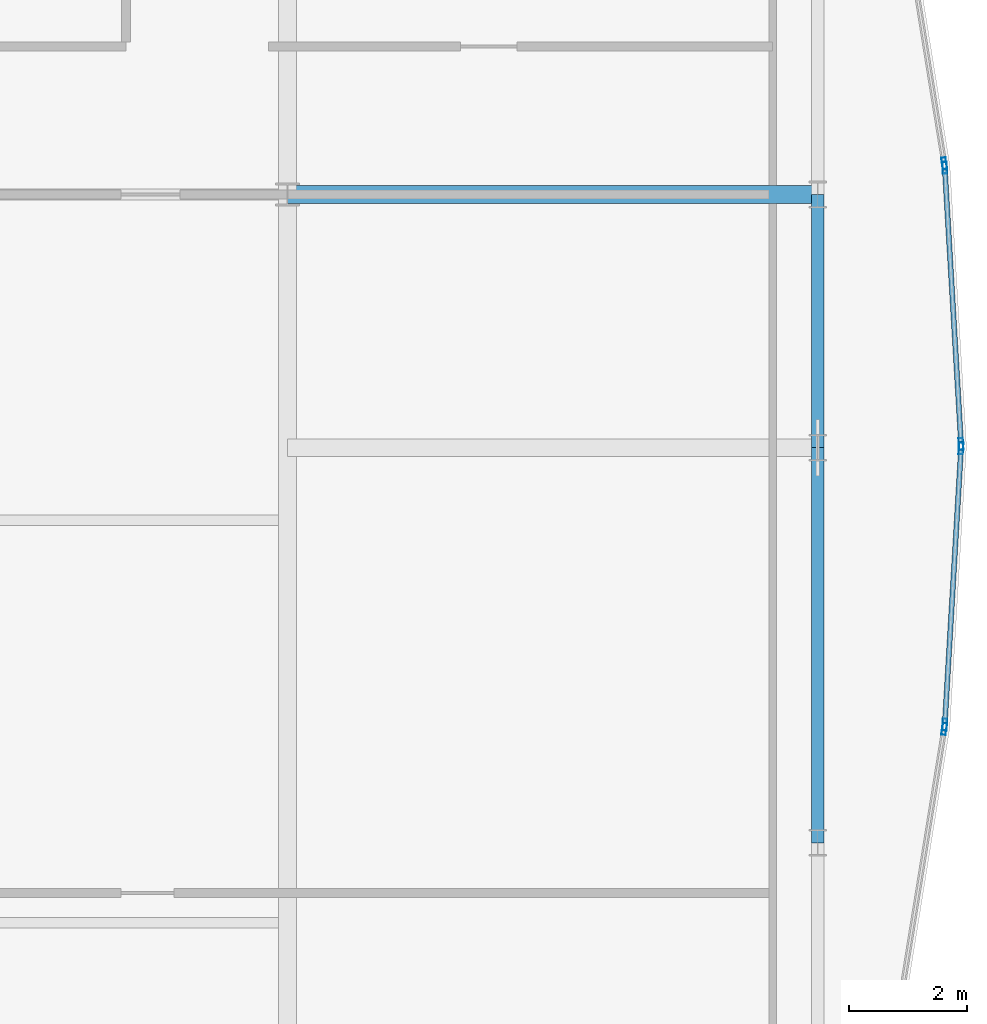
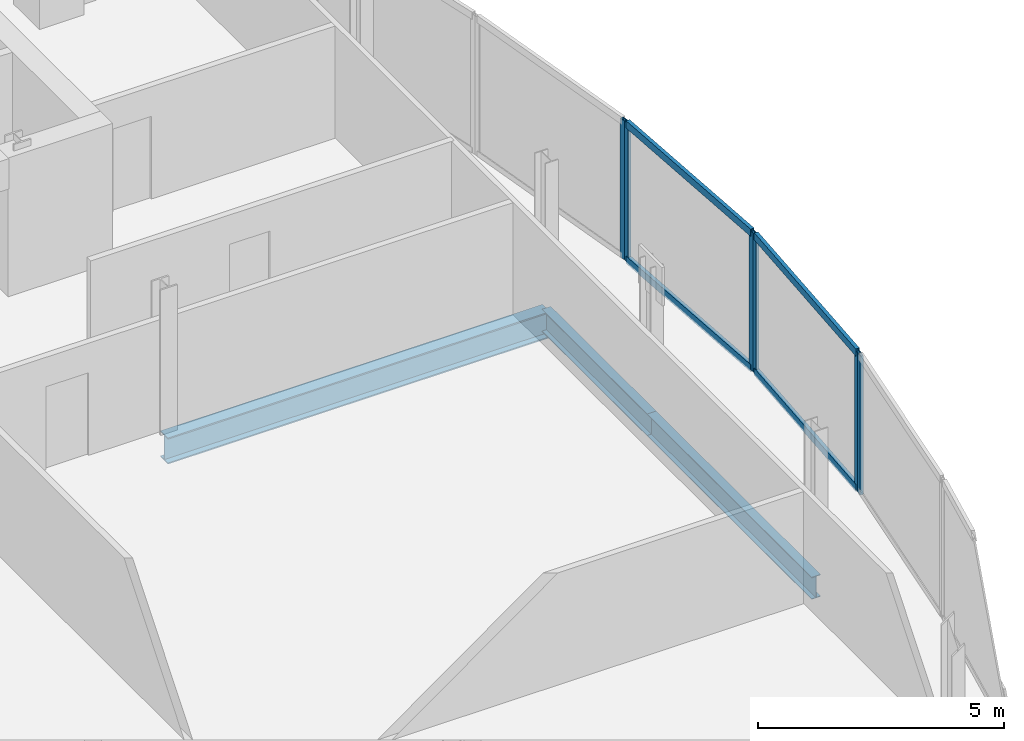
# One storey, part 18 of 30: 10 members, 3 beams, 4 elements without a shape of their own.
"""IFC4 building model written with IfcOpenShell, lengths in metres."""

from ifc_helpers import new_model, si_unit, direction, frame, origin, origin_2d, place, context, subcontext, project, spatial, hollow_rectangle, i_section, extrude, material, material_profile, profile_set, type_object, element, aggregate, save


model = new_model("IFC4")

# Units and contexts
model_context = context("Model", 3, precision=1e-05, world=origin(), true_north=direction((0.0, 1.0)))
body_context = subcontext(model_context, "Body", "Model", "MODEL_VIEW")
ifc_project = project(units=[si_unit("LENGTHUNIT", "METRE"), si_unit("AREAUNIT", "SQUARE_METRE"), si_unit("VOLUMEUNIT", "CUBIC_METRE"), si_unit("PLANEANGLEUNIT", "RADIAN"), si_unit("MASSUNIT", "GRAM", prefix="KILO")], contexts=[model_context])

# Site, building, storey
site_placement = place(None, origin())
site = spatial("IfcSite", under=ifc_project, at=site_placement, CompositionType="ELEMENT")
building_placement = place(site_placement, origin())
building = spatial("IfcBuilding", under=site, at=building_placement, Name="Khoronbel Lancet Exchange", CompositionType="ELEMENT")
storey_placement = place(building_placement, frame((0.0, 0.0, 269.800048828125)))
storey = spatial("IfcBuildingStorey", under=building, at=storey_placement, Name="L69", CompositionType="ELEMENT", Elevation=269.800048828125)

# Beams
ifc_material_1 = material(Name="Steel S355", Category="steel")
ifc_material_profile_1 = material_profile(ifc_material_1, i_section(OverallWidth=0.300048828125, OverallDepth=0.64990234375, WebThickness=0.01611328125, FlangeThickness=0.031005859375, at=origin_2d()), Name="HEB 650")
ifc_profile_set_1 = profile_set([ifc_material_profile_1], Name="Steel S355")
beam_type_1 = type_object("IfcBeamType", Name="BM-BG4", PredefinedType="BEAM", material=ifc_profile_set_1)
beam_1_placement = place(storey_placement, frame((54.675048828125, 35.699951171875, -0.485107421875), z_axis=(1.0, 0.0, 0.0), x_axis=(0.0, 1.0, 0.0)))
element("IfcBeam", 1, at=beam_1_placement, inside=storey, type_object=beam_type_1, Name="Level L69 east lens tie girder LG4E", PredefinedType="BEAM", context=body_context, shape_type="SweptSolid", body=[
    extrude(i_section(OverallWidth=0.300048828125, OverallDepth=0.64990234375, WebThickness=0.01611328125, FlangeThickness=0.031005859375, at=origin_2d()), origin(), (0.0, 0.0, 1.0), 8.954833984375),
])
ifc_material_profile_2 = material_profile(ifc_material_1, i_section(OverallWidth=0.2099609375, OverallDepth=0.550048828125, WebThickness=0.010986328125, FlangeThickness=0.01708984375, at=origin_2d()), Name="IPE 550")
ifc_profile_set_2 = profile_set([ifc_material_profile_2], Name="Steel S355")
beam_type_2 = type_object("IfcBeamType", Name="BM-BSP3", PredefinedType="SPANDREL", material=ifc_profile_set_2)
beam_2_placement = place(storey_placement, frame((63.6298828125, 24.75, -0.43505859375), z_axis=(0.0, 1.0, 0.0), x_axis=(-1.0, 0.0, 0.0)))
element("IfcBeam", 2, at=beam_2_placement, inside=storey, type_object=beam_type_2, Name="Level L69 perimeter spandrel beam SP12", PredefinedType="SPANDREL", context=body_context, shape_type="SweptSolid", body=[
    extrude(i_section(OverallWidth=0.2099609375, OverallDepth=0.550048828125, WebThickness=0.010986328125, FlangeThickness=0.01708984375, at=origin_2d()), origin(), (0.0, 0.0, 1.0), 6.675048828125),
])
beam_3_placement = place(storey_placement, frame((63.6298828125, 31.425048828125, -0.43505859375), z_axis=(0.0, 1.0, 0.0), x_axis=(-1.0, 0.0, 0.0)))
element("IfcBeam", 3, at=beam_3_placement, inside=storey, type_object=beam_type_2, Name="Level L69 perimeter spandrel beam SP13", PredefinedType="SPANDREL", context=body_context, shape_type="SweptSolid", body=[
    extrude(i_section(OverallWidth=0.2099609375, OverallDepth=0.550048828125, WebThickness=0.010986328125, FlangeThickness=0.01708984375, at=origin_2d()), origin(), (0.0, 0.0, 1.0), 4.27490234375),
])

# Curtain wall, member
ifc_material_2 = material(Name="Low-E Solar Control Insulating Glass", Category="glass")
curtain_wall_type = type_object("IfcCurtainWallType", Name="CW-4", PredefinedType="NOTDEFINED", material=ifc_material_2)
curtain_wall_1_placement = place(storey_placement, origin())
curtain_wall_1 = element("IfcCurtainWall", 4, at=curtain_wall_1_placement, inside=storey, type_object=curtain_wall_type, Name="Unitised curtain wall CW-L69-E18", PredefinedType="NOTDEFINED")
ifc_material_3 = material(Name="Bronze-Anodised Aluminium 6063-T6", Category="aluminium")
ifc_material_profile_3 = material_profile(ifc_material_3, hollow_rectangle(XDim=0.074951171875, YDim=0.199951171875, WallThickness=0.0048828125, at=origin_2d()), Name="ALU MULLION 75x200")
ifc_profile_set_3 = profile_set([ifc_material_profile_3], Name="Bronze-Anodised Aluminium 6063-T6")
member_type_1 = type_object("IfcMemberType", Name="MEM-CWM2", PredefinedType="MULLION", material=ifc_profile_set_3)
member_1_placement = place(storey_placement, frame((65.767578125, 36.227294921875, 0.0), z_axis=(0.0, 0.0, 1.0), x_axis=(0.98723404771, 0.159276285246, 0.0)))
member_1 = element("IfcMember", 5, at=member_1_placement, type_object=member_type_1, Name="CW4 mullion 2", PredefinedType="MULLION", context=body_context, shape_type="SweptSolid", body=[
    extrude(hollow_rectangle(XDim=0.074951171875, YDim=0.199951171875, WallThickness=0.0048828125, at=origin_2d()), origin(), (0.0, 0.0, 1.0), 3.43994140625),
])
aggregate(curtain_wall_1, [member_1])

# Curtain wall, members
curtain_wall_2_placement = place(storey_placement, origin())
curtain_wall_2 = element("IfcCurtainWall", 6, at=curtain_wall_2_placement, inside=storey, type_object=curtain_wall_type, Name="Unitised curtain wall CW-L69-E19", PredefinedType="NOTDEFINED")
member_2_placement = place(storey_placement, frame((65.77587890625, 36.15283203125, 0.0), z_axis=(0.0, 0.0, 1.0), x_axis=(0.99826120415, 0.058945468766, 0.0)))
member_2 = element("IfcMember", 7, at=member_2_placement, type_object=member_type_1, Name="CW4 mullion 1", PredefinedType="MULLION", context=body_context, shape_type="SweptSolid", body=[
    extrude(hollow_rectangle(XDim=0.074951171875, YDim=0.199951171875, WallThickness=0.0048828125, at=origin_2d()), origin(), (0.0, 0.0, 1.0), 3.43994140625),
])
member_3_placement = place(storey_placement, frame((66.05126953125, 31.487548828125, 0.0), z_axis=(0.0, 0.0, 1.0), x_axis=(0.99826120415, 0.058945468766, 0.0)))
member_3 = element("IfcMember", 8, at=member_3_placement, type_object=member_type_1, Name="CW4 mullion 2", PredefinedType="MULLION", context=body_context, shape_type="SweptSolid", body=[
    extrude(hollow_rectangle(XDim=0.074951171875, YDim=0.199951171875, WallThickness=0.0048828125, at=origin_2d()), origin(), (0.0, 0.0, 1.0), 3.43994140625),
])

curtain_wall_3_placement = place(storey_placement, origin())
curtain_wall_3 = element("IfcCurtainWall", 9, at=curtain_wall_3_placement, inside=storey, type_object=curtain_wall_type, Name="Unitised curtain wall CW-L69-E20", PredefinedType="NOTDEFINED")
member_4_placement = place(storey_placement, frame((66.05126953125, 31.41259765625, 0.0), z_axis=(0.0, 0.0, 1.0), x_axis=(0.99826120415, -0.058945468766, 0.0)))
member_4 = element("IfcMember", 10, at=member_4_placement, type_object=member_type_1, Name="CW4 mullion 1", PredefinedType="MULLION", context=body_context, shape_type="SweptSolid", body=[
    extrude(hollow_rectangle(XDim=0.074951171875, YDim=0.199951171875, WallThickness=0.0048828125, at=origin_2d()), origin(), (0.0, 0.0, 1.0), 3.43994140625),
])
member_5_placement = place(storey_placement, frame((65.77587890625, 26.747314453125, 0.0), z_axis=(0.0, 0.0, 1.0), x_axis=(0.99826120415, -0.058945468766, 0.0)))
member_5 = element("IfcMember", 11, at=member_5_placement, type_object=member_type_1, Name="CW4 mullion 2", PredefinedType="MULLION", context=body_context, shape_type="SweptSolid", body=[
    extrude(hollow_rectangle(XDim=0.074951171875, YDim=0.199951171875, WallThickness=0.0048828125, at=origin_2d()), origin(), (0.0, 0.0, 1.0), 3.43994140625),
])

# Curtain wall, member
curtain_wall_4_placement = place(storey_placement, origin())
curtain_wall_4 = element("IfcCurtainWall", 12, at=curtain_wall_4_placement, inside=storey, type_object=curtain_wall_type, Name="Unitised curtain wall CW-L69-E21", PredefinedType="NOTDEFINED")
member_6_placement = place(storey_placement, frame((65.767578125, 26.6728515625, 0.0), z_axis=(0.0, 0.0, 1.0), x_axis=(0.98723404771, -0.159276285246, 0.0)))
member_6 = element("IfcMember", 13, at=member_6_placement, type_object=member_type_1, Name="CW4 mullion 1", PredefinedType="MULLION", context=body_context, shape_type="SweptSolid", body=[
    extrude(hollow_rectangle(XDim=0.074951171875, YDim=0.199951171875, WallThickness=0.0048828125, at=origin_2d()), origin(), (0.0, 0.0, 1.0), 3.43994140625),
])
aggregate(curtain_wall_4, [member_6])

# Member
ifc_material_profile_4 = material_profile(ifc_material_3, hollow_rectangle(XDim=0.0849609375, YDim=0.179931640625, WallThickness=0.0048828125, at=origin_2d()), Name="ALU TRANSOM 85x180")
ifc_profile_set_4 = profile_set([ifc_material_profile_4], Name="Bronze-Anodised Aluminium 6063-T6")
member_type_2 = type_object("IfcMemberType", Name="MEM-CWT1", PredefinedType="USERDEFINED", material=ifc_profile_set_4)
member_7_placement = place(storey_placement, frame((65.778076171875, 36.115234375, 0.04248046875), z_axis=(0.058933661865, -0.998261901256, 0.0), x_axis=(0.998261901256, 0.058933661865, 0.0)))
member_7 = element("IfcMember", 14, at=member_7_placement, type_object=member_type_2, Name="CW4 transom 1.1", ObjectType="TRANSOM", PredefinedType="USERDEFINED", context=body_context, shape_type="SweptSolid", body=[
    extrude(hollow_rectangle(XDim=0.0849609375, YDim=0.179931640625, WallThickness=0.0048828125, at=origin_2d()), origin(), (0.0, 0.0, 1.0), 4.598388671875),
])

member_8_placement = place(storey_placement, frame((65.778076171875, 36.115234375, 3.3974609375), z_axis=(0.058933661865, -0.998261901256, 0.0), x_axis=(0.998261901256, 0.058933661865, 0.0)))
member_8 = element("IfcMember", 15, at=member_8_placement, type_object=member_type_2, Name="CW4 transom 1.2", ObjectType="TRANSOM", PredefinedType="USERDEFINED", context=body_context, shape_type="SweptSolid", body=[
    extrude(hollow_rectangle(XDim=0.0849609375, YDim=0.179931640625, WallThickness=0.0048828125, at=origin_2d()), origin(), (0.0, 0.0, 1.0), 4.598388671875),
])

aggregate(curtain_wall_2, [member_2, member_3, member_7, member_8])

member_9_placement = place(storey_placement, frame((66.049072265625, 31.375244140625, 0.04248046875), z_axis=(-0.058930538481, -0.998262085644, 0.0), x_axis=(0.998262085644, -0.058930538481, 0.0)))
member_9 = element("IfcMember", 16, at=member_9_placement, type_object=member_type_2, Name="CW4 transom 1.1", ObjectType="TRANSOM", PredefinedType="USERDEFINED", context=body_context, shape_type="SweptSolid", body=[
    extrude(hollow_rectangle(XDim=0.0849609375, YDim=0.179931640625, WallThickness=0.0048828125, at=origin_2d()), origin(), (0.0, 0.0, 1.0), 4.5986328125),
])

member_10_placement = place(storey_placement, frame((66.049072265625, 31.375244140625, 3.3974609375), z_axis=(-0.058930538481, -0.998262085644, 0.0), x_axis=(0.998262085644, -0.058930538481, 0.0)))
member_10 = element("IfcMember", 17, at=member_10_placement, type_object=member_type_2, Name="CW4 transom 1.2", ObjectType="TRANSOM", PredefinedType="USERDEFINED", context=body_context, shape_type="SweptSolid", body=[
    extrude(hollow_rectangle(XDim=0.0849609375, YDim=0.179931640625, WallThickness=0.0048828125, at=origin_2d()), origin(), (0.0, 0.0, 1.0), 4.5986328125),
])

aggregate(curtain_wall_3, [member_4, member_5, member_9, member_10])

save(model, "model.ifc")
